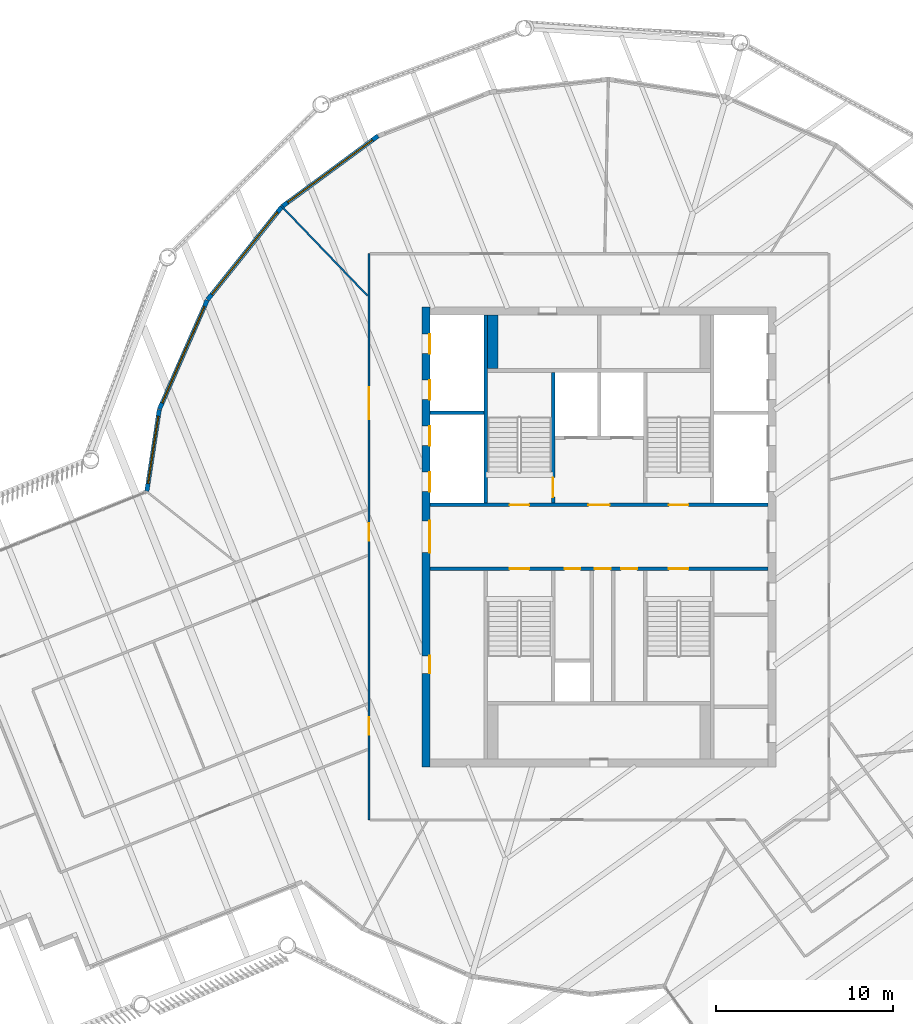
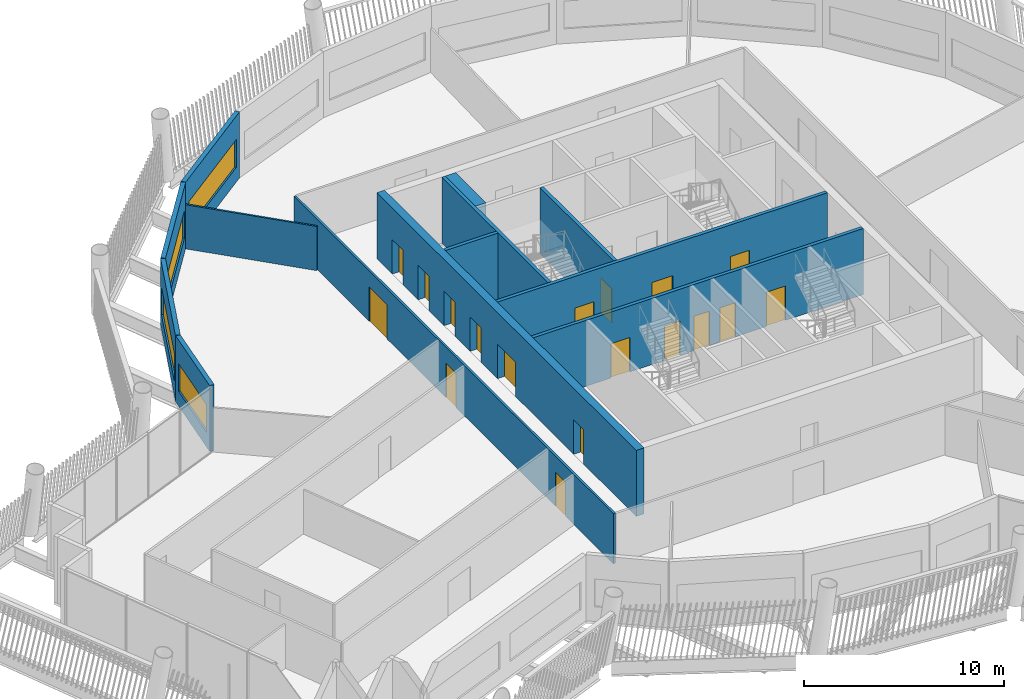
# One storey, part 17 of 27: 18 doors, 13 walls, 4 windows, 22 openings.
"""IFC4 building model written with IfcOpenShell, lengths in metres."""

from ifc_helpers import new_model, si_unit, direction, frame, frame_2d, origin, place, context, subcontext, project, spatial, rectangle, extrude, material, layer, layer_set, type_object, element, fill, save


model = new_model("IFC4")

# Units and contexts
model_context = context("Model", 3, precision=1e-05, world=origin(), true_north=direction((0.0, 1.0)))
body_context = subcontext(model_context, "Body", "Model", "MODEL_VIEW")
ifc_project = project(units=[si_unit("LENGTHUNIT", "METRE"), si_unit("AREAUNIT", "SQUARE_METRE"), si_unit("VOLUMEUNIT", "CUBIC_METRE"), si_unit("PLANEANGLEUNIT", "RADIAN"), si_unit("MASSUNIT", "GRAM", prefix="KILO")], contexts=[model_context])

# Site, building, storey
site_placement = place(None, origin())
site = spatial("IfcSite", under=ifc_project, at=site_placement, CompositionType="ELEMENT")
building_placement = place(site_placement, origin())
building = spatial("IfcBuilding", under=site, at=building_placement, Name="Tarsis Ring Headquarters", CompositionType="ELEMENT")
storey_placement = place(building_placement, frame((0.0, 0.0, 373.39990234375)))
storey = spatial("IfcBuildingStorey", under=building, at=storey_placement, Name="L88", CompositionType="ELEMENT", Elevation=373.39990234375)

# Wall, openings, doors
ifc_material_1 = material(Name="Concrete C50/60", Category="concrete")
ifc_layer_1 = layer(ifc_material_1, 0.449951171875)
ifc_layer_set_1 = layer_set([ifc_layer_1], Name="Core wall 450 C50/60")
wall_type_1 = type_object("IfcWallType", Name="Core wall 450 C50/60", PredefinedType="SHEAR", material=ifc_layer_set_1)
wall_1_placement = place(storey_placement, frame((-9.77490234375, -13.0, 0.0), z_axis=(0.0, 0.0, 1.0), x_axis=(0.0, 1.0, 0.0)))
wall_1 = element("IfcWall", 1, at=wall_1_placement, inside=storey, type_object=wall_type_1, Name="Core wall OW", PredefinedType="SHEAR", context=body_context, shape_type="SweptSolid", body=[
    extrude(rectangle(XDim=26.0, YDim=0.449951171875, at=frame_2d((13.0, 0.0))), origin(), (0.0, 0.0, 1.0), 4.0400390625),
])
opening_1_placement = place(wall_1_placement, frame((5.27490234375, 0.0, 0.0)))
opening_1 = element("IfcOpeningElement", 2, at=opening_1_placement, cuts=wall_1, Name="Opening L88-C01", PredefinedType="OPENING", context=body_context, shape_type="SweptSolid", body=[
    extrude(rectangle(XDim=1.0, YDim=2.10009765625, at=frame_2d((0.5, 1.050048828125))), frame((0.0, 0.23486328125, 0.0), z_axis=(0.0, -1.0, 0.0), x_axis=(1.0, 0.0, 0.0)), (0.0, 0.0, 1.0), 0.469970703125),
])
opening_2_placement = place(wall_1_placement, frame((12.10009765625, 0.0, 0.0)))
opening_2 = element("IfcOpeningElement", 3, at=opening_2_placement, cuts=wall_1, Name="Opening L88-C02", PredefinedType="OPENING", context=body_context, shape_type="SweptSolid", body=[
    extrude(rectangle(XDim=1.800048828125, YDim=2.10009765625, at=frame_2d((0.89990234375, 1.050048828125))), frame((0.0, 0.23486328125, 0.0), z_axis=(0.0, -1.0, 0.0), x_axis=(1.0, 0.0, 0.0)), (0.0, 0.0, 1.0), 0.469970703125),
])
opening_3_placement = place(wall_1_placement, frame((15.550048828125, 0.0, 0.0)))
opening_3 = element("IfcOpeningElement", 4, at=opening_3_placement, cuts=wall_1, Name="Opening LD-HR1", PredefinedType="OPENING", context=body_context, shape_type="SweptSolid", body=[
    extrude(rectangle(XDim=1.10009765625, YDim=2.10009765625, at=frame_2d((0.550048828125, 1.050048828125))), frame((0.0, 0.23486328125, 0.0), z_axis=(0.0, -1.0, 0.0), x_axis=(1.0, 0.0, 0.0)), (0.0, 0.0, 1.0), 0.469970703125),
])
opening_4_placement = place(wall_1_placement, frame((18.14990234375, 0.0, 0.0)))
opening_4 = element("IfcOpeningElement", 5, at=opening_4_placement, cuts=wall_1, Name="Opening LD-HR2", PredefinedType="OPENING", context=body_context, shape_type="SweptSolid", body=[
    extrude(rectangle(XDim=1.10009765625, YDim=2.10009765625, at=frame_2d((0.550048828125, 1.050048828125))), frame((0.0, 0.23486328125, 0.0), z_axis=(0.0, -1.0, 0.0), x_axis=(1.0, 0.0, 0.0)), (0.0, 0.0, 1.0), 0.469970703125),
])
opening_5_placement = place(wall_1_placement, frame((20.75, 0.0, 0.0)))
opening_5 = element("IfcOpeningElement", 6, at=opening_5_placement, cuts=wall_1, Name="Opening LD-HR3", PredefinedType="OPENING", context=body_context, shape_type="SweptSolid", body=[
    extrude(rectangle(XDim=1.10009765625, YDim=2.10009765625, at=frame_2d((0.550048828125, 1.050048828125))), frame((0.0, 0.23486328125, 0.0), z_axis=(0.0, -1.0, 0.0), x_axis=(1.0, 0.0, 0.0)), (0.0, 0.0, 1.0), 0.469970703125),
])
opening_6_placement = place(wall_1_placement, frame((23.35009765625, 0.0, 0.0)))
opening_6 = element("IfcOpeningElement", 7, at=opening_6_placement, cuts=wall_1, Name="Opening LD-HR4", PredefinedType="OPENING", context=body_context, shape_type="SweptSolid", body=[
    extrude(rectangle(XDim=1.10009765625, YDim=2.10009765625, at=frame_2d((0.550048828125, 1.050048828125))), frame((0.0, 0.23486328125, 0.0), z_axis=(0.0, -1.0, 0.0), x_axis=(1.0, 0.0, 0.0)), (0.0, 0.0, 1.0), 0.469970703125),
])
ifc_material_2 = material(Name="Steel S355", Category="steel")
door_type_1 = type_object("IfcDoorType", Name="Core entry door 1800x2100", OperationType="DOUBLE_DOOR_SINGLE_SWING", PredefinedType="DOOR", material=ifc_material_2)
door_1_placement = place(opening_2_placement, origin())
door_1 = element("IfcDoor", 8, at=door_1_placement, inside=storey, type_object=door_type_1, Name="Core entry door L88", OperationType="DOUBLE_DOOR_SINGLE_SWING", OverallHeight=2.10009765625, OverallWidth=1.800048828125, PredefinedType="DOOR", context=body_context, shape_type="SweptSolid", body=[
    extrude(rectangle(XDim=1.800048828125, YDim=2.10009765625, at=frame_2d((0.89990234375, 1.050048828125))), frame((0.0, -0.1748046875, 0.0), z_axis=(0.0, -1.0, 0.0), x_axis=(1.0, 0.0, 0.0)), (0.0, 0.0, 1.0), 0.050048828125),
])
fill(opening_2, door_1)
door_type_2 = type_object("IfcDoorType", Name="Core room door 1000x2100", OperationType="SINGLE_SWING_LEFT", PredefinedType="DOOR", material=ifc_material_2)
door_2_placement = place(opening_1_placement, origin())
door_2 = element("IfcDoor", 9, at=door_2_placement, inside=storey, type_object=door_type_2, Name="Core room door L88", OperationType="SINGLE_SWING_LEFT", OverallHeight=2.10009765625, OverallWidth=1.0, PredefinedType="DOOR", context=body_context, shape_type="SweptSolid", body=[
    extrude(rectangle(XDim=1.0, YDim=2.10009765625, at=frame_2d((0.5, 1.050048828125))), frame((0.0, -0.1748046875, 0.0), z_axis=(0.0, -1.0, 0.0), x_axis=(1.0, 0.0, 0.0)), (0.0, 0.0, 1.0), 0.050048828125),
])
fill(opening_1, door_2)
door_type_3 = type_object("IfcDoorType", Name="Landing door 1100x2100", OperationType="SLIDING_TO_LEFT", PredefinedType="DOOR", material=ifc_material_2)
door_3_placement = place(opening_3_placement, origin())
door_3 = element("IfcDoor", 10, at=door_3_placement, inside=storey, type_object=door_type_3, Name="Landing door HR1 L88", OperationType="SLIDING_TO_LEFT", OverallHeight=2.10009765625, OverallWidth=1.10009765625, PredefinedType="DOOR", context=body_context, shape_type="SweptSolid", body=[
    extrude(rectangle(XDim=1.10009765625, YDim=2.10009765625, at=frame_2d((0.550048828125, 1.050048828125))), frame((0.0, -0.1748046875, 0.0), z_axis=(0.0, -1.0, 0.0), x_axis=(1.0, 0.0, 0.0)), (0.0, 0.0, 1.0), 0.050048828125),
])
fill(opening_3, door_3)
door_4_placement = place(opening_4_placement, origin())
door_4 = element("IfcDoor", 11, at=door_4_placement, inside=storey, type_object=door_type_3, Name="Landing door HR2 L88", OperationType="SLIDING_TO_LEFT", OverallHeight=2.10009765625, OverallWidth=1.10009765625, PredefinedType="DOOR", context=body_context, shape_type="SweptSolid", body=[
    extrude(rectangle(XDim=1.10009765625, YDim=2.10009765625, at=frame_2d((0.550048828125, 1.050048828125))), frame((0.0, -0.1748046875, 0.0), z_axis=(0.0, -1.0, 0.0), x_axis=(1.0, 0.0, 0.0)), (0.0, 0.0, 1.0), 0.050048828125),
])
fill(opening_4, door_4)
door_5_placement = place(opening_5_placement, origin())
door_5 = element("IfcDoor", 12, at=door_5_placement, inside=storey, type_object=door_type_3, Name="Landing door HR3 L88", OperationType="SLIDING_TO_LEFT", OverallHeight=2.10009765625, OverallWidth=1.10009765625, PredefinedType="DOOR", context=body_context, shape_type="SweptSolid", body=[
    extrude(rectangle(XDim=1.10009765625, YDim=2.10009765625, at=frame_2d((0.550048828125, 1.050048828125))), frame((0.0, -0.1748046875, 0.0), z_axis=(0.0, -1.0, 0.0), x_axis=(1.0, 0.0, 0.0)), (0.0, 0.0, 1.0), 0.050048828125),
])
fill(opening_5, door_5)
door_6_placement = place(opening_6_placement, origin())
door_6 = element("IfcDoor", 13, at=door_6_placement, inside=storey, type_object=door_type_3, Name="Landing door HR4 L88", OperationType="SLIDING_TO_LEFT", OverallHeight=2.10009765625, OverallWidth=1.10009765625, PredefinedType="DOOR", context=body_context, shape_type="SweptSolid", body=[
    extrude(rectangle(XDim=1.10009765625, YDim=2.10009765625, at=frame_2d((0.550048828125, 1.050048828125))), frame((0.0, -0.1748046875, 0.0), z_axis=(0.0, -1.0, 0.0), x_axis=(1.0, 0.0, 0.0)), (0.0, 0.0, 1.0), 0.050048828125),
])
fill(opening_6, door_6)

# Wall
ifc_material_3 = material(Name="Gypsum board on steel studs", Category="steel")
ifc_layer_2 = layer(ifc_material_3, 0.10009765625)
ifc_layer_set_2 = layer_set([ifc_layer_2], Name="FL partition 100 unrated")
wall_type_2 = type_object("IfcWallType", Name="FL partition 100 unrated", PredefinedType="PARTITIONING", material=ifc_layer_set_2)
wall_2_placement = place(storey_placement, frame((-17.97265625, 18.715576171875, 0.0), z_axis=(0.0, 0.0, 1.0), x_axis=(0.692640681641, -0.721282805934, 0.0)))
element("IfcWall", 14, at=wall_2_placement, inside=storey, type_object=wall_type_2, Name="Partition PW3", PredefinedType="PARTITIONING", context=body_context, shape_type="SweptSolid", body=[
    extrude(rectangle(XDim=7.04931640625, YDim=0.10009765625, at=frame_2d((3.524658203125, 0.0))), origin(), (0.0, 0.0, 1.0), 2.7001953125),
])

# Wall, openings, doors
ifc_layer_3 = layer(ifc_material_3, 0.125)
ifc_layer_set_3 = layer_set([ifc_layer_3], Name="FL partition 125 EI 60 H3070")
wall_type_3 = type_object("IfcWallType", Name="FL partition 125 EI 60 H3070", PredefinedType="PARTITIONING", material=ifc_layer_set_3)
wall_3_placement = place(storey_placement, frame((-13.0, -16.0, 0.0), z_axis=(0.0, 0.0, 1.0), x_axis=(0.0, 1.0, 0.0)))
wall_3 = element("IfcWall", 15, at=wall_3_placement, inside=storey, type_object=wall_type_3, Name="Partition PW1H307", PredefinedType="PARTITIONING", context=body_context, shape_type="SweptSolid", body=[
    extrude(rectangle(XDim=32.0, YDim=0.125, at=frame_2d((16.0, 0.0))), origin(), (0.0, 0.0, 1.0), 3.070068359375),
])
opening_7_placement = place(wall_3_placement, frame((22.65185546875, 0.0, 0.0)))
opening_7 = element("IfcOpeningElement", 16, at=opening_7_placement, cuts=wall_3, Name="Opening D88.03", PredefinedType="OPENING", context=body_context, shape_type="SweptSolid", body=[
    extrude(rectangle(XDim=1.800048828125, YDim=2.10009765625, at=frame_2d((0.89990234375, 1.050048828125))), frame((0.0, 0.072509765625, 0.0), z_axis=(0.0, -1.0, 0.0), x_axis=(1.0, 0.0, 0.0)), (0.0, 0.0, 1.0), 0.14501953125),
])
opening_8_placement = place(wall_3_placement, frame((4.806396484375, 0.0, 0.0)))
opening_8 = element("IfcOpeningElement", 17, at=opening_8_placement, cuts=wall_3, Name="Opening D88.15", PredefinedType="OPENING", context=body_context, shape_type="SweptSolid", body=[
    extrude(rectangle(XDim=1.0, YDim=2.10009765625, at=frame_2d((0.5, 1.050048828125))), frame((0.0, 0.072509765625, 0.0), z_axis=(0.0, -1.0, 0.0), x_axis=(1.0, 0.0, 0.0)), (0.0, 0.0, 1.0), 0.14501953125),
])
opening_9_placement = place(wall_3_placement, frame((15.7734375, 0.0, 0.0)))
opening_9 = element("IfcOpeningElement", 18, at=opening_9_placement, cuts=wall_3, Name="Opening D88.16", PredefinedType="OPENING", context=body_context, shape_type="SweptSolid", body=[
    extrude(rectangle(XDim=1.0, YDim=2.10009765625, at=frame_2d((0.5, 1.050048828125))), frame((0.0, 0.072509765625, 0.0), z_axis=(0.0, -1.0, 0.0), x_axis=(1.0, 0.0, 0.0)), (0.0, 0.0, 1.0), 0.14501953125),
])
ifc_material_4 = material(Name="Fire-rated timber door leaf in steel frame", Category="steel")
door_type_4 = type_object("IfcDoorType", Name="FL door FD60-1000", OperationType="NOTDEFINED", PredefinedType="DOOR", material=ifc_material_4)
door_7_placement = place(opening_8_placement, origin())
door_7 = element("IfcDoor", 19, at=door_7_placement, inside=storey, type_object=door_type_4, Name="Door D88.15", OperationType="SINGLE_SWING_LEFT", OverallHeight=2.10009765625, OverallWidth=1.0, PredefinedType="DOOR", context=body_context, shape_type="SweptSolid", body=[
    extrude(rectangle(XDim=1.0, YDim=2.10009765625, at=frame_2d((0.5, 1.050048828125))), frame((0.0, 0.02490234375, 0.0), z_axis=(0.0, -1.0, 0.0), x_axis=(1.0, 0.0, 0.0)), (0.0, 0.0, 1.0), 0.050048828125),
])
fill(opening_8, door_7)
door_8_placement = place(opening_9_placement, origin())
door_8 = element("IfcDoor", 20, at=door_8_placement, inside=storey, type_object=door_type_4, Name="Door D88.16", OperationType="SINGLE_SWING_RIGHT", OverallHeight=2.10009765625, OverallWidth=1.0, PredefinedType="DOOR", context=body_context, shape_type="SweptSolid", body=[
    extrude(rectangle(XDim=1.0, YDim=2.10009765625, at=frame_2d((0.5, 1.050048828125))), frame((0.0, 0.02490234375, 0.0), z_axis=(0.0, -1.0, 0.0), x_axis=(1.0, 0.0, 0.0)), (0.0, 0.0, 1.0), 0.050048828125),
])
fill(opening_9, door_8)
door_type_5 = type_object("IfcDoorType", Name="FL door FD60-1800", OperationType="DOUBLE_DOOR_SINGLE_SWING", PredefinedType="DOOR", material=ifc_material_4)
door_9_placement = place(opening_7_placement, origin())
door_9 = element("IfcDoor", 21, at=door_9_placement, inside=storey, type_object=door_type_5, Name="Door D88.03", OperationType="DOUBLE_DOOR_SINGLE_SWING", OverallHeight=2.10009765625, OverallWidth=1.800048828125, PredefinedType="DOOR", context=body_context, shape_type="SweptSolid", body=[
    extrude(rectangle(XDim=1.800048828125, YDim=2.10009765625, at=frame_2d((0.89990234375, 1.050048828125))), frame((0.0, 0.02490234375, 0.0), z_axis=(0.0, -1.0, 0.0), x_axis=(1.0, 0.0, 0.0)), (0.0, 0.0, 1.0), 0.050048828125),
])
fill(opening_7, door_9)

# Wall, opening, window
ifc_material_5 = material(Name="Terracotta clad insulated panel wall", Category="masonry")
ifc_layer_4 = layer(ifc_material_5, 0.25)
ifc_layer_set_4 = layer_set([ifc_layer_4], Name="Facade wall terracotta panel 250")
wall_type_4 = type_object("IfcWallType", Name="Facade wall terracotta panel 250", PredefinedType="STANDARD", material=ifc_layer_set_4)
wall_4_placement = place(storey_placement, frame((-12.493896484375, 22.655029296875, 0.0), z_axis=(0.0, 0.0, 1.0), x_axis=(-0.805523018899, -0.592564482587, 0.0)))
wall_4 = element("IfcWall", 22, at=wall_4_placement, inside=storey, type_object=wall_type_4, Name="External wall L88-27", PredefinedType="STANDARD", context=body_context, shape_type="SweptSolid", body=[
    extrude(rectangle(XDim=6.721435546875, YDim=0.25, at=frame_2d((3.36083984375, 0.0))), origin(), (0.0, 0.0, 1.0), 4.0400390625),
])
opening_10_placement = place(wall_4_placement, frame((0.3857421875, 0.0, 0.89990234375)))
opening_10 = element("IfcOpeningElement", 23, at=opening_10_placement, cuts=wall_4, Name="Opening WN07", PredefinedType="OPENING", context=body_context, shape_type="SweptSolid", body=[
    extrude(rectangle(XDim=5.949951171875, YDim=1.699951171875, at=frame_2d((2.97509765625, 0.85009765625))), frame((0.0, 0.135009765625, 0.0), z_axis=(0.0, -1.0, 0.0), x_axis=(1.0, 0.0, 0.0)), (0.0, 0.0, 1.0), 0.27001953125),
])
ifc_material_6 = material(Name="Aluminium framed double glazing", Category="aluminium")
window_type_1 = type_object("IfcWindowType", Name="Facade window 5950 x 1700", PartitioningType="SINGLE_PANEL", PredefinedType="WINDOW", material=ifc_material_6)
window_1_placement = place(opening_10_placement, origin())
window_1 = element("IfcWindow", 24, at=window_1_placement, inside=storey, type_object=window_type_1, Name="Window L88-27.1", OverallHeight=1.699951171875, OverallWidth=5.949951171875, PartitioningType="SINGLE_PANEL", PredefinedType="WINDOW", context=body_context, shape_type="SweptSolid", body=[
    extrude(rectangle(XDim=5.949951171875, YDim=1.699951171875, at=frame_2d((2.97509765625, 0.85009765625))), frame((0.0, 0.030029296875, 0.0), z_axis=(0.0, -1.0, 0.0), x_axis=(1.0, 0.0, 0.0)), (0.0, 0.0, 1.0), 0.06005859375),
])
fill(opening_10, window_1)

wall_5_placement = place(storey_placement, frame((-17.931884765625, 18.6494140625, 0.0), z_axis=(0.0, 0.0, 1.0), x_axis=(-0.6246861882, -0.780875896844, 0.0)))
wall_5 = element("IfcWall", 25, at=wall_5_placement, inside=storey, type_object=wall_type_4, Name="External wall L88-28", PredefinedType="STANDARD", context=body_context, shape_type="SweptSolid", body=[
    extrude(rectangle(XDim=6.721435546875, YDim=0.25, at=frame_2d((3.36083984375, 0.0))), origin(), (0.0, 0.0, 1.0), 4.0400390625),
])
opening_11_placement = place(wall_5_placement, frame((0.3857421875, 0.0, 0.89990234375)))
opening_11 = element("IfcOpeningElement", 26, at=opening_11_placement, cuts=wall_5, Name="Opening WN07", PredefinedType="OPENING", context=body_context, shape_type="SweptSolid", body=[
    extrude(rectangle(XDim=5.949951171875, YDim=1.699951171875, at=frame_2d((2.97509765625, 0.85009765625))), frame((0.0, 0.135009765625, 0.0), z_axis=(0.0, -1.0, 0.0), x_axis=(1.0, 0.0, 0.0)), (0.0, 0.0, 1.0), 0.27001953125),
])
window_2_placement = place(opening_11_placement, origin())
window_2 = element("IfcWindow", 27, at=window_2_placement, inside=storey, type_object=window_type_1, Name="Window L88-28.1", OverallHeight=1.699951171875, OverallWidth=5.949951171875, PartitioningType="SINGLE_PANEL", PredefinedType="WINDOW", context=body_context, shape_type="SweptSolid", body=[
    extrude(rectangle(XDim=5.949951171875, YDim=1.699951171875, at=frame_2d((2.97509765625, 0.85009765625))), frame((0.0, 0.030029296875, 0.0), z_axis=(0.0, -1.0, 0.0), x_axis=(1.0, 0.0, 0.0)), (0.0, 0.0, 1.0), 0.06005859375),
])
fill(opening_11, window_2)

wall_6_placement = place(storey_placement, frame((-22.1474609375, 13.372802734375, 0.0), z_axis=(0.0, 0.0, 1.0), x_axis=(-0.401323710919, -0.915936285477, 0.0)))
wall_6 = element("IfcWall", 28, at=wall_6_placement, inside=storey, type_object=wall_type_4, Name="External wall L88-29", PredefinedType="STANDARD", context=body_context, shape_type="SweptSolid", body=[
    extrude(rectangle(XDim=6.721435546875, YDim=0.25, at=frame_2d((3.36083984375, 0.0))), origin(), (0.0, 0.0, 1.0), 4.0400390625),
])
opening_12_placement = place(wall_6_placement, frame((0.3857421875, 0.0, 0.89990234375)))
opening_12 = element("IfcOpeningElement", 29, at=opening_12_placement, cuts=wall_6, Name="Opening WN07", PredefinedType="OPENING", context=body_context, shape_type="SweptSolid", body=[
    extrude(rectangle(XDim=5.949951171875, YDim=1.699951171875, at=frame_2d((2.97509765625, 0.85009765625))), frame((0.0, 0.135009765625, 0.0), z_axis=(0.0, -1.0, 0.0), x_axis=(1.0, 0.0, 0.0)), (0.0, 0.0, 1.0), 0.27001953125),
])
window_3_placement = place(opening_12_placement, origin())
window_3 = element("IfcWindow", 30, at=window_3_placement, inside=storey, type_object=window_type_1, Name="Window L88-29.1", OverallHeight=1.699951171875, OverallWidth=5.949951171875, PartitioningType="SINGLE_PANEL", PredefinedType="WINDOW", context=body_context, shape_type="SweptSolid", body=[
    extrude(rectangle(XDim=5.949951171875, YDim=1.699951171875, at=frame_2d((2.97509765625, 0.85009765625))), frame((0.0, 0.030029296875, 0.0), z_axis=(0.0, -1.0, 0.0), x_axis=(1.0, 0.0, 0.0)), (0.0, 0.0, 1.0), 0.06005859375),
])
fill(opening_12, window_3)

wall_7_placement = place(storey_placement, frame((-24.85400390625, 7.18505859375, 0.0), z_axis=(0.0, 0.0, 1.0), x_axis=(-0.150585505986, -0.988596988356, 0.0)))
wall_7 = element("IfcWall", 31, at=wall_7_placement, inside=storey, type_object=wall_type_4, Name="External wall L88-30", PredefinedType="STANDARD", context=body_context, shape_type="SweptSolid", body=[
    extrude(rectangle(XDim=4.662841796875, YDim=0.25, at=frame_2d((2.33154296875, 0.0))), origin(), (0.0, 0.0, 1.0), 4.0400390625),
])
opening_13_placement = place(wall_7_placement, frame((0.367431640625, 0.0, 0.89990234375)))
opening_13 = element("IfcOpeningElement", 32, at=opening_13_placement, cuts=wall_7, Name="Opening WN02", PredefinedType="OPENING", context=body_context, shape_type="SweptSolid", body=[
    extrude(rectangle(XDim=3.85009765625, YDim=1.699951171875, at=frame_2d((1.925048828125, 0.85009765625))), frame((0.0, 0.135009765625, 0.0), z_axis=(0.0, -1.0, 0.0), x_axis=(1.0, 0.0, 0.0)), (0.0, 0.0, 1.0), 0.27001953125),
])
window_type_2 = type_object("IfcWindowType", Name="Facade window 3850 x 1700", PartitioningType="SINGLE_PANEL", PredefinedType="WINDOW", material=ifc_material_6)
window_4_placement = place(opening_13_placement, origin())
window_4 = element("IfcWindow", 33, at=window_4_placement, inside=storey, type_object=window_type_2, Name="Window L88-30.1", OverallHeight=1.699951171875, OverallWidth=3.85009765625, PartitioningType="SINGLE_PANEL", PredefinedType="WINDOW", context=body_context, shape_type="SweptSolid", body=[
    extrude(rectangle(XDim=3.85009765625, YDim=1.699951171875, at=frame_2d((1.925048828125, 0.85009765625))), frame((0.0, 0.030029296875, 0.0), z_axis=(0.0, -1.0, 0.0), x_axis=(1.0, 0.0, 0.0)), (0.0, 0.0, 1.0), 0.06005859375),
])
fill(opening_13, window_4)

# Wall
ifc_material_7 = material(Name="Concrete C32/40", Category="concrete")
ifc_layer_5 = layer(ifc_material_7, 0.60009765625)
ifc_layer_set_5 = layer_set([ifc_layer_5], Name="Shaft end wall 600 C32/40")
wall_type_5 = type_object("IfcWallType", Name="Shaft end wall 600 C32/40", PredefinedType="SOLIDWALL", material=ifc_layer_set_5)
wall_8_placement = place(storey_placement, frame((-6.0, 9.5, 0.0), z_axis=(0.0, 0.0, 1.0), x_axis=(0.0, 1.0, 0.0)))
element("IfcWall", 34, at=wall_8_placement, inside=storey, type_object=wall_type_5, Name="Core shaft wall NNE1", PredefinedType="SOLIDWALL", context=body_context, shape_type="SweptSolid", body=[
    extrude(rectangle(XDim=3.050048828125, YDim=0.60009765625, at=frame_2d((1.52490234375, 0.0))), origin(), (0.0, 0.0, 1.0), 4.0400390625),
])

# Wall, openings, doors
ifc_layer_6 = layer(ifc_material_7, 0.199951171875)
ifc_layer_set_6 = layer_set([ifc_layer_6], Name="Shaft wall 200 C32/40")
wall_type_6 = type_object("IfcWallType", Name="Shaft wall 200 C32/40", PredefinedType="SOLIDWALL", material=ifc_layer_set_6)
wall_9_placement = place(storey_placement, frame((-9.550048828125, 1.800048828125, 0.0), z_axis=(0.0, 0.0, 1.0), x_axis=(1.0, 0.0, 0.0)))
wall_9 = element("IfcWall", 35, at=wall_9_placement, inside=storey, type_object=wall_type_6, Name="Core shaft wall CN", PredefinedType="SOLIDWALL", context=body_context, shape_type="SweptSolid", body=[
    extrude(rectangle(XDim=19.10009765625, YDim=0.199951171875, at=frame_2d((9.550048828125, 0.0))), origin(), (0.0, 0.0, 1.0), 4.0400390625),
])
opening_14_placement = place(wall_9_placement, frame((4.5, 0.0, 0.0)))
opening_14 = element("IfcOpeningElement", 36, at=opening_14_placement, cuts=wall_9, Name="Opening L88-C18", PredefinedType="OPENING", context=body_context, shape_type="SweptSolid", body=[
    extrude(rectangle(XDim=1.10009765625, YDim=2.10009765625, at=frame_2d((0.550048828125, 1.050048828125))), frame((0.0, 0.10986328125, 0.0), z_axis=(0.0, -1.0, 0.0), x_axis=(1.0, 0.0, 0.0)), (0.0, 0.0, 1.0), 0.219970703125),
])
opening_15_placement = place(wall_9_placement, frame((8.949951171875, 0.0, 0.0)))
opening_15 = element("IfcOpeningElement", 37, at=opening_15_placement, cuts=wall_9, Name="Opening L88-C19", PredefinedType="OPENING", context=body_context, shape_type="SweptSolid", body=[
    extrude(rectangle(XDim=1.199951171875, YDim=2.10009765625, at=frame_2d((0.60009765625, 1.050048828125))), frame((0.0, 0.10986328125, 0.0), z_axis=(0.0, -1.0, 0.0), x_axis=(1.0, 0.0, 0.0)), (0.0, 0.0, 1.0), 0.219970703125),
])
opening_16_placement = place(wall_9_placement, frame((13.5, 0.0, 0.0)))
opening_16 = element("IfcOpeningElement", 38, at=opening_16_placement, cuts=wall_9, Name="Opening L88-C20", PredefinedType="OPENING", context=body_context, shape_type="SweptSolid", body=[
    extrude(rectangle(XDim=1.10009765625, YDim=2.10009765625, at=frame_2d((0.550048828125, 1.050048828125))), frame((0.0, 0.10986328125, 0.0), z_axis=(0.0, -1.0, 0.0), x_axis=(1.0, 0.0, 0.0)), (0.0, 0.0, 1.0), 0.219970703125),
])
door_type_6 = type_object("IfcDoorType", Name="Firefighting lobby door 1200x2100", OperationType="DOUBLE_DOOR_SINGLE_SWING", PredefinedType="DOOR", material=ifc_material_2)
door_10_placement = place(opening_15_placement, origin())
door_10 = element("IfcDoor", 39, at=door_10_placement, inside=storey, type_object=door_type_6, Name="Firefighting lobby door L88", OperationType="DOUBLE_DOOR_SINGLE_SWING", OverallHeight=2.10009765625, OverallWidth=1.199951171875, PredefinedType="DOOR", context=body_context, shape_type="SweptSolid", body=[
    extrude(rectangle(XDim=1.199951171875, YDim=2.10009765625, at=frame_2d((0.60009765625, 1.050048828125))), frame((0.0, 0.02490234375, 0.0), z_axis=(0.0, -1.0, 0.0), x_axis=(1.0, 0.0, 0.0)), (0.0, 0.0, 1.0), 0.050048828125),
])
fill(opening_15, door_10)
door_type_7 = type_object("IfcDoorType", Name="Stair door 1100x2100", OperationType="SINGLE_SWING_LEFT", PredefinedType="DOOR", material=ifc_material_2)
door_11_placement = place(opening_14_placement, origin())
door_11 = element("IfcDoor", 40, at=door_11_placement, inside=storey, type_object=door_type_7, Name="Stair door L88", OperationType="SINGLE_SWING_LEFT", OverallHeight=2.10009765625, OverallWidth=1.10009765625, PredefinedType="DOOR", context=body_context, shape_type="SweptSolid", body=[
    extrude(rectangle(XDim=1.10009765625, YDim=2.10009765625, at=frame_2d((0.550048828125, 1.050048828125))), frame((0.0, 0.02490234375, 0.0), z_axis=(0.0, -1.0, 0.0), x_axis=(1.0, 0.0, 0.0)), (0.0, 0.0, 1.0), 0.050048828125),
])
fill(opening_14, door_11)
door_12_placement = place(opening_16_placement, origin())
door_12 = element("IfcDoor", 41, at=door_12_placement, inside=storey, type_object=door_type_7, Name="Stair door L88", OperationType="SINGLE_SWING_LEFT", OverallHeight=2.10009765625, OverallWidth=1.10009765625, PredefinedType="DOOR", context=body_context, shape_type="SweptSolid", body=[
    extrude(rectangle(XDim=1.10009765625, YDim=2.10009765625, at=frame_2d((0.550048828125, 1.050048828125))), frame((0.0, 0.02490234375, 0.0), z_axis=(0.0, -1.0, 0.0), x_axis=(1.0, 0.0, 0.0)), (0.0, 0.0, 1.0), 0.050048828125),
])
fill(opening_16, door_12)

wall_10_placement = place(storey_placement, frame((-9.550048828125, -1.800048828125, 0.0), z_axis=(0.0, 0.0, 1.0), x_axis=(1.0, 0.0, 0.0)))
wall_10 = element("IfcWall", 42, at=wall_10_placement, inside=storey, type_object=wall_type_6, Name="Core shaft wall CS", PredefinedType="SOLIDWALL", context=body_context, shape_type="SweptSolid", body=[
    extrude(rectangle(XDim=19.10009765625, YDim=0.199951171875, at=frame_2d((9.550048828125, 0.0))), origin(), (0.0, 0.0, 1.0), 4.0400390625),
])
opening_17_placement = place(wall_10_placement, frame((4.5, 0.0, 0.0)))
opening_17 = element("IfcOpeningElement", 43, at=opening_17_placement, cuts=wall_10, Name="Opening L88-C21", PredefinedType="OPENING", context=body_context, shape_type="SweptSolid", body=[
    extrude(rectangle(XDim=1.10009765625, YDim=2.10009765625, at=frame_2d((0.550048828125, 1.050048828125))), frame((0.0, 0.10986328125, 0.0), z_axis=(0.0, -1.0, 0.0), x_axis=(1.0, 0.0, 0.0)), (0.0, 0.0, 1.0), 0.219970703125),
])
opening_18_placement = place(wall_10_placement, frame((7.60009765625, 0.0, 0.0)))
opening_18 = element("IfcOpeningElement", 44, at=opening_18_placement, cuts=wall_10, Name="Opening L88-C22", PredefinedType="OPENING", context=body_context, shape_type="SweptSolid", body=[
    extrude(rectangle(XDim=0.89990234375, YDim=2.10009765625, at=frame_2d((0.449951171875, 1.050048828125))), frame((0.0, 0.10986328125, 0.0), z_axis=(0.0, -1.0, 0.0), x_axis=(1.0, 0.0, 0.0)), (0.0, 0.0, 1.0), 0.219970703125),
])
opening_19_placement = place(wall_10_placement, frame((9.300048828125, 0.0, 0.0)))
opening_19 = element("IfcOpeningElement", 45, at=opening_19_placement, cuts=wall_10, Name="Opening L88-C23", PredefinedType="OPENING", context=body_context, shape_type="SweptSolid", body=[
    extrude(rectangle(XDim=0.89990234375, YDim=2.10009765625, at=frame_2d((0.449951171875, 1.050048828125))), frame((0.0, 0.10986328125, 0.0), z_axis=(0.0, -1.0, 0.0), x_axis=(1.0, 0.0, 0.0)), (0.0, 0.0, 1.0), 0.219970703125),
])
opening_20_placement = place(wall_10_placement, frame((10.800048828125, 0.0, 0.0)))
opening_20 = element("IfcOpeningElement", 46, at=opening_20_placement, cuts=wall_10, Name="Opening L88-C24", PredefinedType="OPENING", context=body_context, shape_type="SweptSolid", body=[
    extrude(rectangle(XDim=0.89990234375, YDim=2.10009765625, at=frame_2d((0.449951171875, 1.050048828125))), frame((0.0, 0.10986328125, 0.0), z_axis=(0.0, -1.0, 0.0), x_axis=(1.0, 0.0, 0.0)), (0.0, 0.0, 1.0), 0.219970703125),
])
opening_21_placement = place(wall_10_placement, frame((13.5, 0.0, 0.0)))
opening_21 = element("IfcOpeningElement", 47, at=opening_21_placement, cuts=wall_10, Name="Opening L88-C25", PredefinedType="OPENING", context=body_context, shape_type="SweptSolid", body=[
    extrude(rectangle(XDim=1.10009765625, YDim=2.10009765625, at=frame_2d((0.550048828125, 1.050048828125))), frame((0.0, 0.10986328125, 0.0), z_axis=(0.0, -1.0, 0.0), x_axis=(1.0, 0.0, 0.0)), (0.0, 0.0, 1.0), 0.219970703125),
])
door_13_placement = place(opening_17_placement, origin())
door_13 = element("IfcDoor", 48, at=door_13_placement, inside=storey, type_object=door_type_7, Name="Stair door L88", OperationType="SINGLE_SWING_LEFT", OverallHeight=2.10009765625, OverallWidth=1.10009765625, PredefinedType="DOOR", context=body_context, shape_type="SweptSolid", body=[
    extrude(rectangle(XDim=1.10009765625, YDim=2.10009765625, at=frame_2d((0.550048828125, 1.050048828125))), frame((0.0, 0.02490234375, 0.0), z_axis=(0.0, -1.0, 0.0), x_axis=(1.0, 0.0, 0.0)), (0.0, 0.0, 1.0), 0.050048828125),
])
fill(opening_17, door_13)
door_14_placement = place(opening_21_placement, origin())
door_14 = element("IfcDoor", 49, at=door_14_placement, inside=storey, type_object=door_type_7, Name="Stair door L88", OperationType="SINGLE_SWING_LEFT", OverallHeight=2.10009765625, OverallWidth=1.10009765625, PredefinedType="DOOR", context=body_context, shape_type="SweptSolid", body=[
    extrude(rectangle(XDim=1.10009765625, YDim=2.10009765625, at=frame_2d((0.550048828125, 1.050048828125))), frame((0.0, 0.02490234375, 0.0), z_axis=(0.0, -1.0, 0.0), x_axis=(1.0, 0.0, 0.0)), (0.0, 0.0, 1.0), 0.050048828125),
])
fill(opening_21, door_14)
door_type_8 = type_object("IfcDoorType", Name="WC door 900x2100", OperationType="SINGLE_SWING_LEFT", PredefinedType="DOOR", material=ifc_material_2)
door_15_placement = place(opening_18_placement, origin())
door_15 = element("IfcDoor", 50, at=door_15_placement, inside=storey, type_object=door_type_8, Name="WC door L88", OperationType="SINGLE_SWING_LEFT", OverallHeight=2.10009765625, OverallWidth=0.89990234375, PredefinedType="DOOR", context=body_context, shape_type="SweptSolid", body=[
    extrude(rectangle(XDim=0.89990234375, YDim=2.10009765625, at=frame_2d((0.449951171875, 1.050048828125))), frame((0.0, 0.02490234375, 0.0), z_axis=(0.0, -1.0, 0.0), x_axis=(1.0, 0.0, 0.0)), (0.0, 0.0, 1.0), 0.050048828125),
])
fill(opening_18, door_15)
door_16_placement = place(opening_19_placement, origin())
door_16 = element("IfcDoor", 51, at=door_16_placement, inside=storey, type_object=door_type_8, Name="WC door L88", OperationType="SINGLE_SWING_LEFT", OverallHeight=2.10009765625, OverallWidth=0.89990234375, PredefinedType="DOOR", context=body_context, shape_type="SweptSolid", body=[
    extrude(rectangle(XDim=0.89990234375, YDim=2.10009765625, at=frame_2d((0.449951171875, 1.050048828125))), frame((0.0, 0.02490234375, 0.0), z_axis=(0.0, -1.0, 0.0), x_axis=(1.0, 0.0, 0.0)), (0.0, 0.0, 1.0), 0.050048828125),
])
fill(opening_19, door_16)
door_17_placement = place(opening_20_placement, origin())
door_17 = element("IfcDoor", 52, at=door_17_placement, inside=storey, type_object=door_type_8, Name="WC door L88", OperationType="SINGLE_SWING_LEFT", OverallHeight=2.10009765625, OverallWidth=0.89990234375, PredefinedType="DOOR", context=body_context, shape_type="SweptSolid", body=[
    extrude(rectangle(XDim=0.89990234375, YDim=2.10009765625, at=frame_2d((0.449951171875, 1.050048828125))), frame((0.0, 0.02490234375, 0.0), z_axis=(0.0, -1.0, 0.0), x_axis=(1.0, 0.0, 0.0)), (0.0, 0.0, 1.0), 0.050048828125),
])
fill(opening_20, door_17)

# Wall
wall_11_placement = place(storey_placement, frame((-6.39990234375, 1.89990234375, 0.0), z_axis=(0.0, 0.0, 1.0), x_axis=(0.0, 1.0, 0.0)))
element("IfcWall", 53, at=wall_11_placement, inside=storey, type_object=wall_type_6, Name="Core shaft wall WB2", PredefinedType="SOLIDWALL", context=body_context, shape_type="SweptSolid", body=[
    extrude(rectangle(XDim=10.650146484375, YDim=0.199951171875, at=frame_2d((5.3251953125, 0.0))), origin(), (0.0, 0.0, 1.0), 4.0400390625),
])

# Wall, opening, door
wall_12_placement = place(storey_placement, frame((-2.60009765625, 1.89990234375, 0.0), z_axis=(0.0, 0.0, 1.0), x_axis=(0.0, 1.0, 0.0)))
wall_12 = element("IfcWall", 54, at=wall_12_placement, inside=storey, type_object=wall_type_6, Name="Core shaft wall SW1", PredefinedType="SOLIDWALL", context=body_context, shape_type="SweptSolid", body=[
    extrude(rectangle(XDim=7.400146484375, YDim=0.199951171875, at=frame_2d((3.7001953125, 0.0))), origin(), (0.0, 0.0, 1.0), 4.0400390625),
])
opening_22_placement = place(wall_12_placement, frame((0.35009765625, 0.0, 0.0)))
opening_22 = element("IfcOpeningElement", 55, at=opening_22_placement, cuts=wall_12, Name="Opening L88-C26", PredefinedType="OPENING", context=body_context, shape_type="SweptSolid", body=[
    extrude(rectangle(XDim=1.10009765625, YDim=2.10009765625, at=frame_2d((0.550048828125, 1.050048828125))), frame((0.0, 0.10986328125, 0.0), z_axis=(0.0, -1.0, 0.0), x_axis=(1.0, 0.0, 0.0)), (0.0, 0.0, 1.0), 0.219970703125),
])
door_18_placement = place(opening_22_placement, origin())
door_18 = element("IfcDoor", 56, at=door_18_placement, inside=storey, type_object=door_type_7, Name="Stair door L88", OperationType="SINGLE_SWING_LEFT", OverallHeight=2.10009765625, OverallWidth=1.10009765625, PredefinedType="DOOR", context=body_context, shape_type="SweptSolid", body=[
    extrude(rectangle(XDim=1.10009765625, YDim=2.10009765625, at=frame_2d((0.550048828125, 1.050048828125))), frame((0.0, 0.02490234375, 0.0), z_axis=(0.0, -1.0, 0.0), x_axis=(1.0, 0.0, 0.0)), (0.0, 0.0, 1.0), 0.050048828125),
])
fill(opening_22, door_18)

# Wall
wall_13_placement = place(storey_placement, frame((-9.550048828125, 7.0, 0.0), z_axis=(0.0, 0.0, 1.0), x_axis=(1.0, 0.0, 0.0)))
element("IfcWall", 57, at=wall_13_placement, inside=storey, type_object=wall_type_6, Name="Core shaft wall WD6", PredefinedType="SOLIDWALL", context=body_context, shape_type="SweptSolid", body=[
    extrude(rectangle(XDim=3.050048828125, YDim=0.199951171875, at=frame_2d((1.52490234375, 0.0))), origin(), (0.0, 0.0, 1.0), 4.0400390625),
])

save(model, "model.ifc")
